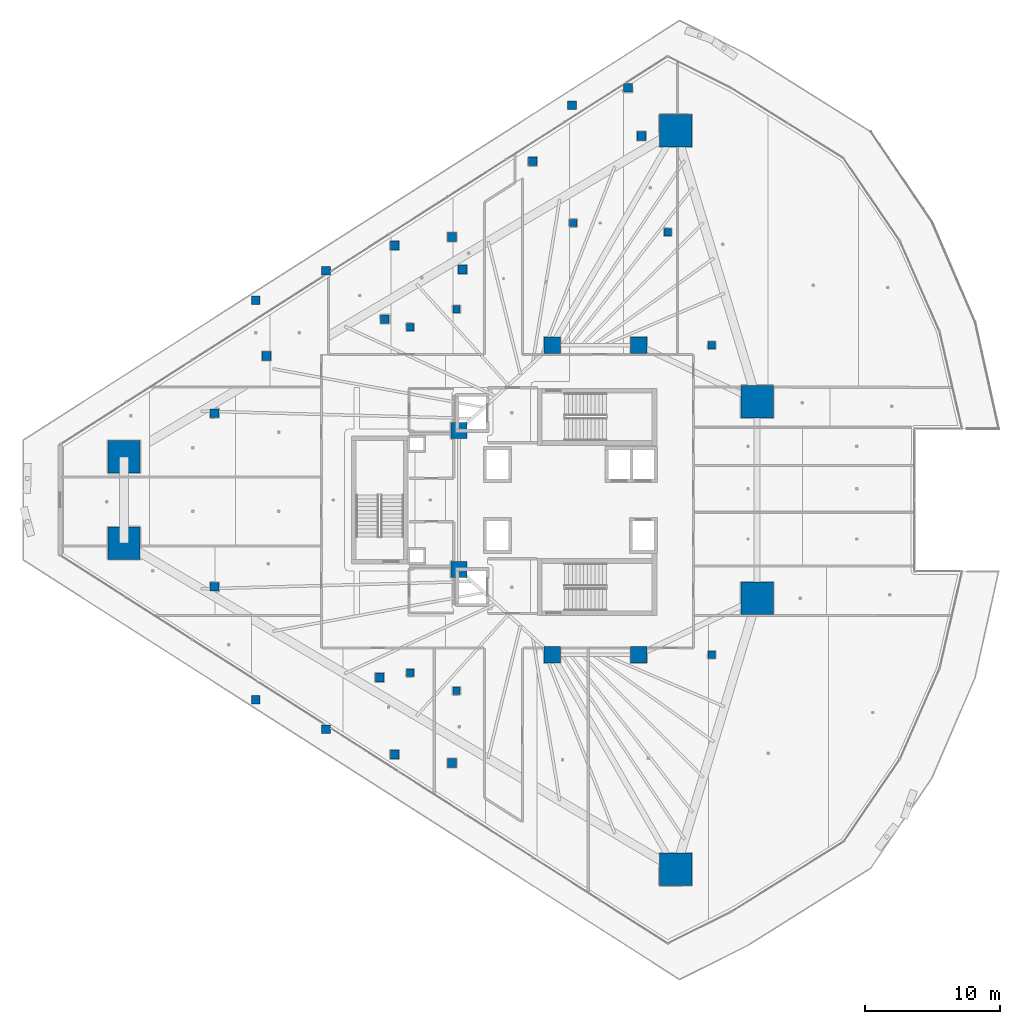
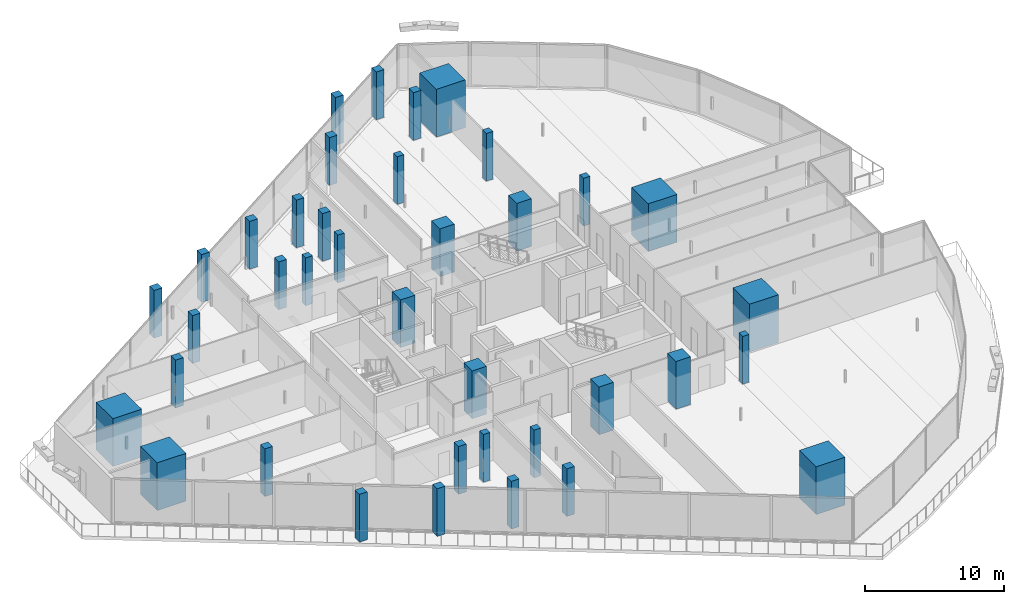
# One storey, part 1 of 44: 38 columns.
"""IFC4 building model written with IfcOpenShell, lengths in metres."""

from ifc_helpers import new_model, si_unit, direction, frame, origin, origin_2d, place, context, subcontext, project, spatial, rectangle, extrude, material, material_profile, profile_set, type_object, element, save


model = new_model("IFC4")

# Units and contexts
model_context = context("Model", 3, precision=1e-05, world=origin(), true_north=direction((0.0, 1.0)))
body_context = subcontext(model_context, "Body", "Model", "MODEL_VIEW")
ifc_project = project(units=[si_unit("LENGTHUNIT", "METRE"), si_unit("AREAUNIT", "SQUARE_METRE"), si_unit("VOLUMEUNIT", "CUBIC_METRE"), si_unit("PLANEANGLEUNIT", "RADIAN"), si_unit("MASSUNIT", "GRAM", prefix="KILO")], contexts=[model_context])

# Site, building, storey
site_placement = place(None, origin())
site = spatial("IfcSite", under=ifc_project, at=site_placement, CompositionType="ELEMENT")
building_placement = place(site_placement, origin())
building = spatial("IfcBuilding", under=site, at=building_placement, Name="Qorvath Tower", CompositionType="ELEMENT")
storey_placement = place(building_placement, frame((0.0, 0.0, 57.60009765625)))
storey = spatial("IfcBuildingStorey", under=building, at=storey_placement, Name="L12", CompositionType="ELEMENT", Elevation=57.60009765625)

# Columns
ifc_material_1 = material(Name="Concrete C70/85", Category="concrete")
ifc_material_profile_1 = material_profile(ifc_material_1, rectangle(XDim=2.39990234375, YDim=2.39990234375, at=origin_2d()), Name="MC 2400x2400")
ifc_profile_set_1 = profile_set([ifc_material_profile_1], Name="Concrete C70/85")
column_type_1 = type_object("IfcColumnType", Name="COL-MC1", PredefinedType="COLUMN", material=ifc_profile_set_1)
for number, where, z_axis, x_axis, name in (
    (1, (-55.282958984375, 3.194580078125, 0.0), (0.0, 0.0, 1.0), (1.0, 0.0, 0.0), "Composite Mega-Column MC1 L12"),
    (2, (-55.282958984375, -3.194580078125, 0.0), (0.0, 0.0, 1.0), (1.0, 0.0, 0.0), "Composite Mega-Column MC2 L12"),
    (3, (-14.46435546875, -27.330810546875, 0.0), (0.0, 0.0, 1.0), (1.0, 0.0, 0.0), "Composite Mega-Column MC3 L12"),
    (4, (-8.430419921875, -7.2763671875, 0.0), (0.0, 0.0, 1.0), (1.0, 0.0, 0.0), "Composite Mega-Column MC4 L12"),
    (5, (-8.430419921875, 7.2763671875, 0.0), (0.0, 0.0, 1.0), (1.0, 0.0, 0.0), "Composite Mega-Column MC5 L12"),
    (6, (-14.46435546875, 27.330810546875, 0.0), (0.0, 0.0, 1.0), (1.0, 0.0, 0.0), "Composite Mega-Column MC6 L12"),
):
    element("IfcColumn", number, at=place(storey_placement, frame(where, z_axis=z_axis, x_axis=x_axis)), inside=storey, type_object=column_type_1, Name=name, PredefinedType="COLUMN", context=body_context, shape_type="SweptSolid", body=[
        extrude(rectangle(XDim=2.39990234375, YDim=2.39990234375, at=origin_2d()), origin(), (0.0, 0.0, 1.0), 4.199951171875),
    ])
ifc_material_2 = material(Name="Concrete C60/75", Category="concrete")
ifc_material_profile_2 = material_profile(ifc_material_2, rectangle(XDim=1.199951171875, YDim=1.199951171875, at=origin_2d()), Name="RC 1200x1200")
ifc_profile_set_2 = profile_set([ifc_material_profile_2], Name="Concrete C60/75")
column_type_2 = type_object("IfcColumnType", Name="COL-RC1", PredefinedType="COLUMN", material=ifc_profile_set_2)
for number, where, z_axis, x_axis, name in (
    (7, (-23.60009765625, 11.449951171875, 0.0), (0.0, 0.0, 1.0), (1.0, 0.0, 0.0), "Core Spine Column CC1 L12"),
    (8, (-17.199951171875, 11.449951171875, 0.0), (0.0, 0.0, 1.0), (1.0, 0.0, 0.0), "Core Spine Column CC2 L12"),
    (9, (-17.199951171875, -11.449951171875, 0.0), (0.0, 0.0, 1.0), (1.0, 0.0, 0.0), "Core Spine Column CC3 L12"),
    (10, (-23.60009765625, -11.449951171875, 0.0), (0.0, 0.0, 1.0), (1.0, 0.0, 0.0), "Core Spine Column CC4 L12"),
    (11, (-30.5, 5.14990234375, 0.0), (0.0, 0.0, 1.0), (1.0, 0.0, 0.0), "Core Spine Column CC5 L12"),
    (12, (-30.5, -5.14990234375, 0.0), (0.0, 0.0, 1.0), (1.0, 0.0, 0.0), "Core Spine Column CC6 L12"),
):
    element("IfcColumn", number, at=place(storey_placement, frame(where, z_axis=z_axis, x_axis=x_axis)), inside=storey, type_object=column_type_2, Name=name, PredefinedType="COLUMN", context=body_context, shape_type="SweptSolid", body=[
        extrude(rectangle(XDim=1.199951171875, YDim=1.199951171875, at=origin_2d()), origin(), (0.0, 0.0, 1.0), 4.199951171875),
    ])
ifc_material_3 = material(Name="Concrete C45/55", Category="concrete")
ifc_material_profile_3 = material_profile(ifc_material_3, rectangle(XDim=0.64990234375, YDim=0.64990234375, at=origin_2d()), Name="RC 650x650")
ifc_profile_set_3 = profile_set([ifc_material_profile_3], Name="Concrete C45/55")
column_type_3 = type_object("IfcColumnType", Name="COL-RC6", PredefinedType="COLUMN", material=ifc_profile_set_3)
for number, where, z_axis, x_axis, name in (
    (13, (-45.536376953125, 14.774658203125, 0.0), (0.0, 0.0, 1.0), (1.0, 0.0, 0.0), "Loggia Frame Pier Column LGA1 L12"),
    (14, (-45.536376953125, -14.774658203125, 0.0), (0.0, 0.0, 1.0), (1.0, 0.0, 0.0), "Loggia Frame Pier Column LGA2 L12"),
    (15, (-22.13134765625, 29.20556640625, 0.0), (0.0, 0.0, 1.0), (1.0, 0.0, 0.0), "Loggia Frame Pier Column LGA3 L12"),
    (16, (-40.33251953125, 16.955810546875, 0.0), (0.0, 0.0, 1.0), (1.0, 0.0, 0.0), "Loggia Frame Pier Column LGB1 L12"),
    (17, (-40.33251953125, -16.955810546875, 0.0), (0.0, 0.0, 1.0), (1.0, 0.0, 0.0), "Loggia Frame Pier Column LGB2 L12"),
    (18, (-18.0, 30.5, 0.0), (0.0, 0.0, 1.0), (1.0, 0.0, 0.0), "Loggia Frame Pier Column LGB3 L12"),
    (19, (-35.251708984375, 18.829345703125, 0.0), (0.0, 0.0, 1.0), (1.0, 0.0, 0.0), "Loggia Frame Pier Column LGC1 L12"),
    (20, (-35.251708984375, -18.829345703125, 0.0), (0.0, 0.0, 1.0), (1.0, 0.0, 0.0), "Loggia Frame Pier Column LGC2 L12"),
    (21, (-25.03759765625, 25.058837890625, 0.0), (0.0, 0.0, 1.0), (1.0, 0.0, 0.0), "Loggia Frame Pier Column LGC3 L12"),
    (22, (-31.01611328125, 19.46044921875, 0.0), (0.0, 0.0, 1.0), (1.0, 0.0, 0.0), "Loggia Frame Pier Column LGD1 L12"),
    (23, (-31.01611328125, -19.46044921875, 0.0), (0.0, 0.0, 1.0), (1.0, 0.0, 0.0), "Loggia Frame Pier Column LGD2 L12"),
    (24, (-44.736328125, 10.65234375, 0.0), (0.0, 0.0, 1.0), (1.0, 0.0, 0.0), "Loggia Frame Pier Column LGD3 L12"),
    (25, (-48.578369140625, 6.424560546875, 0.0), (0.0, 0.0, 1.0), (1.0, 0.0, 0.0), "Loggia Frame Pier Column LGE1 L12"),
    (26, (-48.578369140625, -6.424560546875, 0.0), (0.0, 0.0, 1.0), (1.0, 0.0, 0.0), "Loggia Frame Pier Column LGE2 L12"),
    (27, (-16.981201171875, 26.92919921875, 0.0), (0.0, 0.0, 1.0), (1.0, 0.0, 0.0), "Loggia Frame Pier Column LGE3 L12"),
    (28, (-35.980712890625, 13.380859375, 0.0), (0.0, 0.0, 1.0), (1.0, 0.0, 0.0), "Loggia Frame Pier Column LGF1 L12"),
    (29, (-36.36474609375, -13.135498046875, 0.0), (0.0, 0.0, 1.0), (1.0, 0.0, 0.0), "Loggia Frame Pier Column LGF2 L12"),
    (30, (-30.224853515625, 17.0595703125, 0.0), (0.0, 0.0, 1.0), (1.0, 0.0, 0.0), "Loggia Frame Pier Column LGF3 L12"),
):
    element("IfcColumn", number, at=place(storey_placement, frame(where, z_axis=z_axis, x_axis=x_axis)), inside=storey, type_object=column_type_3, Name=name, PredefinedType="COLUMN", context=body_context, shape_type="SweptSolid", body=[
        extrude(rectangle(XDim=0.64990234375, YDim=0.64990234375, at=origin_2d()), origin(), (0.0, 0.0, 1.0), 4.199951171875),
    ])
ifc_material_4 = material(Name="Concrete C45/55", Category="concrete")
ifc_material_profile_4 = material_profile(ifc_material_4, rectangle(XDim=0.550048828125, YDim=0.550048828125, at=origin_2d()), Name="RC 550x550")
ifc_profile_set_4 = profile_set([ifc_material_profile_4], Name="Concrete C45/55")
column_type_4 = type_object("IfcColumnType", Name="COL-RC7", PredefinedType="COLUMN", material=ifc_profile_set_4)
for number, where, z_axis, x_axis, name in (
    (31, (-34.104248046875, 12.79248046875, 0.0), (0.0, 0.0, 1.0), (1.0, 0.0, 0.0), "Loggia Frame Pier Column LGG1 L12"),
    (32, (-34.104248046875, -12.79248046875, 0.0), (0.0, 0.0, 1.0), (1.0, 0.0, 0.0), "Loggia Frame Pier Column LGG2 L12"),
    (33, (-22.05322265625, 20.494873046875, 0.0), (0.0, 0.0, 1.0), (1.0, 0.0, 0.0), "Loggia Frame Pier Column LGG3 L12"),
    (34, (-30.67724609375, 14.124267578125, 0.0), (0.0, 0.0, 1.0), (1.0, 0.0, 0.0), "Loggia Frame Pier Column LGH1 L12"),
    (35, (-30.67724609375, -14.124267578125, 0.0), (0.0, 0.0, 1.0), (1.0, 0.0, 0.0), "Loggia Frame Pier Column LGH2 L12"),
    (36, (-15.046142578125, 19.818115234375, 0.0), (0.0, 0.0, 1.0), (1.0, 0.0, 0.0), "Loggia Frame Pier Column LGH3 L12"),
    (37, (-11.800048828125, -11.449951171875, 0.0), (0.0, 0.0, 1.0), (1.0, 0.0, 0.0), "Central Slot Jamb Column SC1 L12"),
    (38, (-11.800048828125, 11.449951171875, 0.0), (0.0, 0.0, 1.0), (1.0, 0.0, 0.0), "Central Slot Jamb Column SC2 L12"),
):
    element("IfcColumn", number, at=place(storey_placement, frame(where, z_axis=z_axis, x_axis=x_axis)), inside=storey, type_object=column_type_4, Name=name, PredefinedType="COLUMN", context=body_context, shape_type="SweptSolid", body=[
        extrude(rectangle(XDim=0.550048828125, YDim=0.550048828125, at=origin_2d()), origin(), (0.0, 0.0, 1.0), 4.199951171875),
    ])

save(model, "model.ifc")
